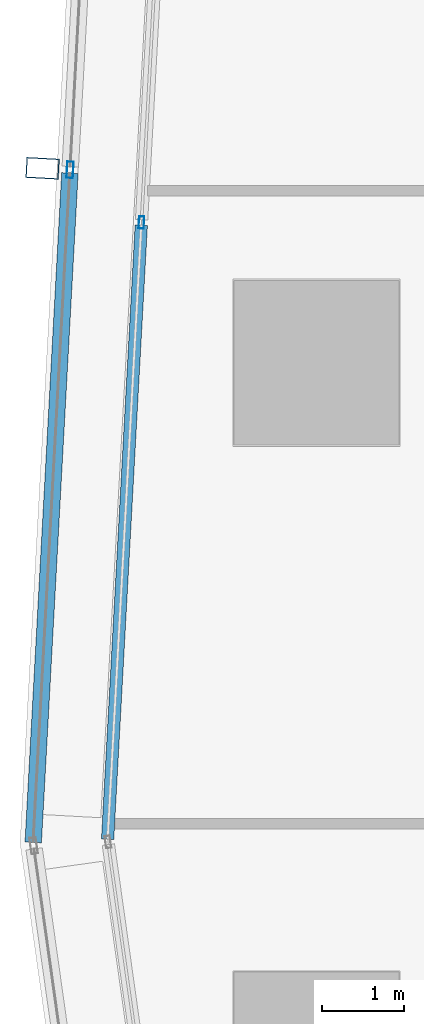
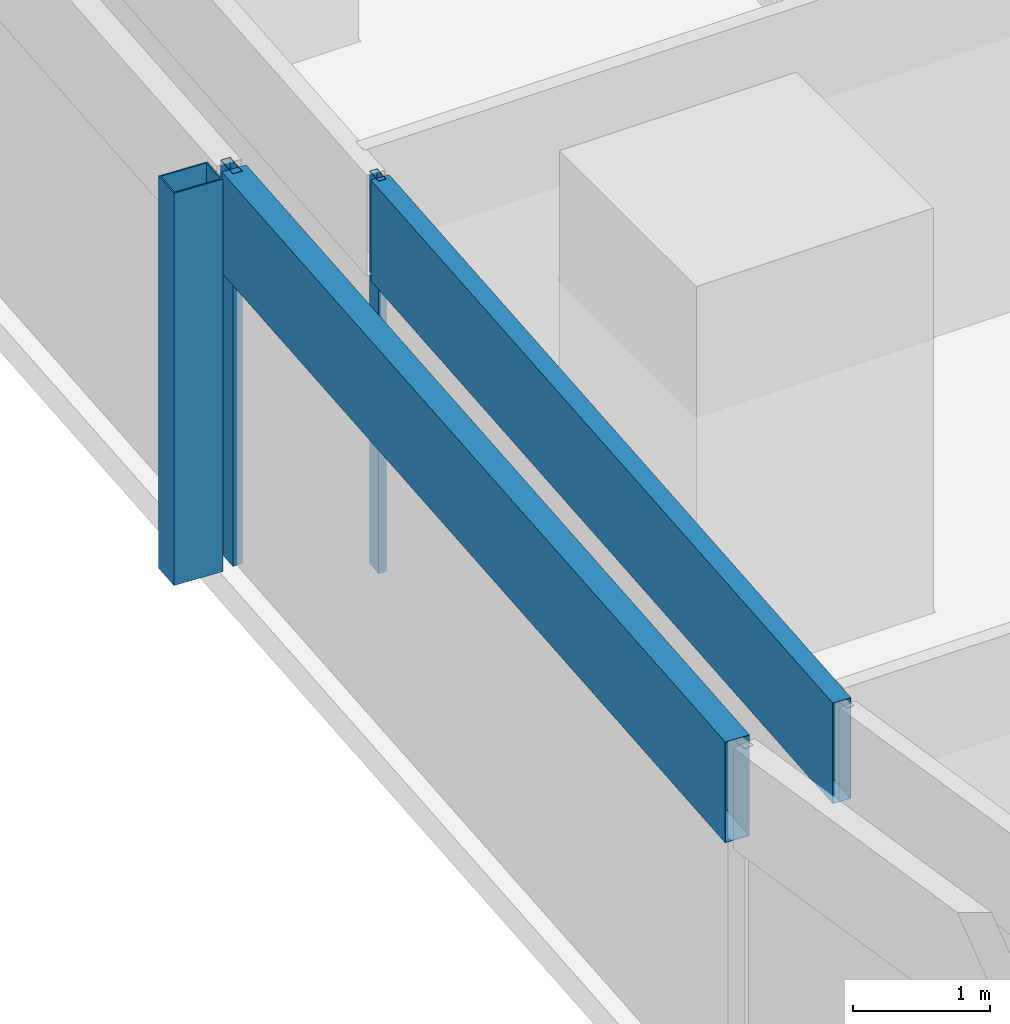
# One storey, part 7 of 39: 5 members, 2 elements without a shape of their own.
"""IFC4 building model written with IfcOpenShell, lengths in metres."""

from ifc_helpers import new_model, si_unit, direction, frame, origin, origin_2d, place, context, subcontext, project, spatial, hollow_rectangle, extrude, material, material_profile, profile_set, type_object, element, aggregate, save


model = new_model("IFC4")

# Units and contexts
model_context = context("Model", 3, precision=1e-05, world=origin(), true_north=direction((0.0, 1.0)))
body_context = subcontext(model_context, "Body", "Model", "MODEL_VIEW")
ifc_project = project(units=[si_unit("LENGTHUNIT", "METRE"), si_unit("AREAUNIT", "SQUARE_METRE"), si_unit("VOLUMEUNIT", "CUBIC_METRE"), si_unit("PLANEANGLEUNIT", "RADIAN"), si_unit("MASSUNIT", "GRAM", prefix="KILO")], contexts=[model_context])

# Site, building, storey
site_placement = place(None, origin())
site = spatial("IfcSite", under=ifc_project, at=site_placement, CompositionType="ELEMENT")
building_placement = place(site_placement, origin())
building = spatial("IfcBuilding", under=site, at=building_placement, Name="Rekha Terrace Tower", CompositionType="ELEMENT")
storey_placement = place(building_placement, frame((0.0, 0.0, 147.800048828125)))
storey = spatial("IfcBuildingStorey", under=building, at=storey_placement, Name="L37", CompositionType="ELEMENT", Elevation=147.800048828125)

# Curtain wall, member
ifc_material_1 = material(Name="Aluminium framing", Category="aluminium")
curtain_wall_type_1 = type_object("IfcCurtainWallType", Name="CW2 double skin outer glazing", PredefinedType="USERDEFINED", material=ifc_material_1)
curtain_wall_1_placement = place(storey_placement, origin())
curtain_wall_1 = element("IfcCurtainWall", 1, at=curtain_wall_1_placement, inside=storey, type_object=curtain_wall_type_1, Name="CW2 double skin outer glazing", ObjectType="DOUBLE SKIN OUTER GLAZING", PredefinedType="USERDEFINED")
ifc_material_2 = material(Name="Steel S355 with fluorocarbon finish", Category="steel")
ifc_material_profile_1 = material_profile(ifc_material_2, hollow_rectangle(XDim=0.25, YDim=0.39990234375, WallThickness=0.012451171875, at=origin_2d()), Name="RHS400x250x12.5")
ifc_profile_set_1 = profile_set([ifc_material_profile_1], Name="Steel S355 with fluorocarbon finish")
member_type_1 = type_object("IfcMemberType", Name="BL1 facade blade RHS 400 x 250", PredefinedType="USERDEFINED", material=ifc_profile_set_1)
member_1_placement = place(storey_placement, frame((5.073974609375, 35.9609375, 0.0), z_axis=(0.0, 0.0, 1.0), x_axis=(-0.054742798353, -0.998500488747, 0.0)))
member_1 = element("IfcMember", 2, at=member_1_placement, type_object=member_type_1, Name="Facade blade", ObjectType="FACADE BLADE", PredefinedType="USERDEFINED", context=body_context, shape_type="SweptSolid", body=[
    extrude(hollow_rectangle(XDim=0.25, YDim=0.39990234375, WallThickness=0.012451171875, at=origin_2d()), origin(), (0.0, 0.0, 1.0), 3.5),
])

# Curtain wall, members
curtain_wall_type_2 = type_object("IfcCurtainWallType", Name="CW1 double skin inner glazing", PredefinedType="USERDEFINED", material=ifc_material_1)
curtain_wall_2_placement = place(storey_placement, origin())
curtain_wall_2 = element("IfcCurtainWall", 3, at=curtain_wall_2_placement, inside=storey, type_object=curtain_wall_type_2, Name="CW1 double skin inner glazing", ObjectType="DOUBLE SKIN INNER GLAZING", PredefinedType="USERDEFINED")
ifc_material_3 = material(Name="Aluminium mullion section", Category="aluminium")
ifc_material_profile_2 = material_profile(ifc_material_3, hollow_rectangle(XDim=0.06494140625, YDim=0.14990234375, WallThickness=0.00390625, at=origin_2d()), Name="AL RHS 65x150")
ifc_profile_set_2 = profile_set([ifc_material_profile_2], Name="Aluminium mullion section")
member_type_2 = type_object("IfcMemberType", Name="CW1 mullion RHS 65 x 150", PredefinedType="MULLION", material=ifc_profile_set_2)
member_2_placement = place(storey_placement, frame((6.274658203125, 35.3037109375, 0.0), z_axis=(0.0, 0.0, 1.0), x_axis=(0.99850051318, -0.054742352707, 0.0)))
member_2 = element("IfcMember", 4, at=member_2_placement, type_object=member_type_2, Name="CW1 mullion 4", PredefinedType="MULLION", context=body_context, shape_type="SweptSolid", body=[
    extrude(hollow_rectangle(XDim=0.06494140625, YDim=0.14990234375, WallThickness=0.00390625, at=origin_2d()), origin(), (0.0, 0.0, 1.0), 3.5),
])
ifc_material_4 = material(Name="Insulated aluminium spandrel box", Category="aluminium")
ifc_material_profile_3 = material_profile(ifc_material_4, hollow_rectangle(XDim=0.14990234375, YDim=0.89990234375, WallThickness=0.0029296875, at=origin_2d()), Name="AL SPANDREL BOX 150x900")
ifc_profile_set_3 = profile_set([ifc_material_profile_3], Name="Insulated aluminium spandrel box")
member_type_3 = type_object("IfcMemberType", Name="CW1 spandrel transom 150 x 900", PredefinedType="USERDEFINED", material=ifc_profile_set_3)
member_3_placement = place(storey_placement, frame((6.27294921875, 35.271240234375, 3.050048828125), z_axis=(-0.054751286186, -0.998500023366, 0.0), x_axis=(0.998500023366, -0.054751286186, 0.0)))
member_3 = element("IfcMember", 5, at=member_3_placement, type_object=member_type_3, Name="CW1 spandrel transom 4", ObjectType="TRANSOM", PredefinedType="USERDEFINED", context=body_context, shape_type="SweptSolid", body=[
    extrude(hollow_rectangle(XDim=0.14990234375, YDim=0.89990234375, WallThickness=0.0029296875, at=origin_2d()), origin(), (0.0, 0.0, 1.0), 7.468994140625),
])
aggregate(curtain_wall_2, [member_2, member_3])

# Member
ifc_material_profile_4 = material_profile(ifc_material_3, hollow_rectangle(XDim=0.080078125, YDim=0.199951171875, WallThickness=0.00390625, at=origin_2d()), Name="AL RHS 80x200")
ifc_profile_set_4 = profile_set([ifc_material_profile_4], Name="Aluminium mullion section")
member_type_4 = type_object("IfcMemberType", Name="CW2 mullion RHS 80 x 200", PredefinedType="MULLION", material=ifc_profile_set_4)
member_4_placement = place(storey_placement, frame((5.408447265625, 35.942626953125, 0.0), z_axis=(0.0, 0.0, 1.0), x_axis=(0.99850051318, -0.054742352707, 0.0)))
member_4 = element("IfcMember", 6, at=member_4_placement, type_object=member_type_4, Name="CW2 mullion 4", PredefinedType="MULLION", context=body_context, shape_type="SweptSolid", body=[
    extrude(hollow_rectangle(XDim=0.080078125, YDim=0.199951171875, WallThickness=0.00390625, at=origin_2d()), origin(), (0.0, 0.0, 1.0), 3.5),
])

ifc_material_profile_5 = material_profile(ifc_material_4, hollow_rectangle(XDim=0.199951171875, YDim=0.89990234375, WallThickness=0.0029296875, at=origin_2d()), Name="AL SPANDREL BOX 200x900")
ifc_profile_set_5 = profile_set([ifc_material_profile_5], Name="Insulated aluminium spandrel box")
member_type_5 = type_object("IfcMemberType", Name="CW2 spandrel transom 200 x 900", PredefinedType="USERDEFINED", material=ifc_profile_set_5)
member_5_placement = place(storey_placement, frame((5.40625, 35.902587890625, 3.050048828125), z_axis=(-0.054737434401, -0.998500782812, 0.0), x_axis=(0.998500782812, -0.054737434401, 0.0)))
member_5 = element("IfcMember", 7, at=member_5_placement, type_object=member_type_5, Name="CW2 spandrel transom 4", ObjectType="TRANSOM", PredefinedType="USERDEFINED", context=body_context, shape_type="SweptSolid", body=[
    extrude(hollow_rectangle(XDim=0.199951171875, YDim=0.89990234375, WallThickness=0.0029296875, at=origin_2d()), origin(), (0.0, 0.0, 1.0), 8.139892578125),
])

aggregate(curtain_wall_1, [member_4, member_5, member_1])

save(model, "model.ifc")
